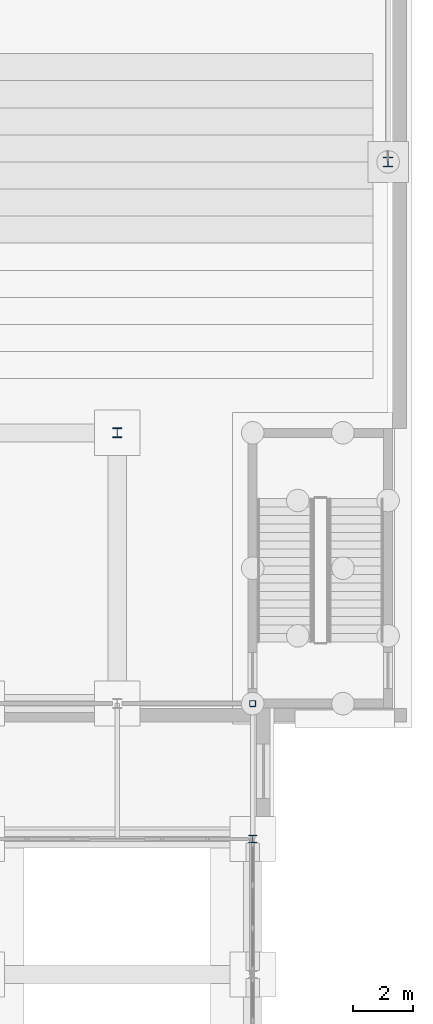
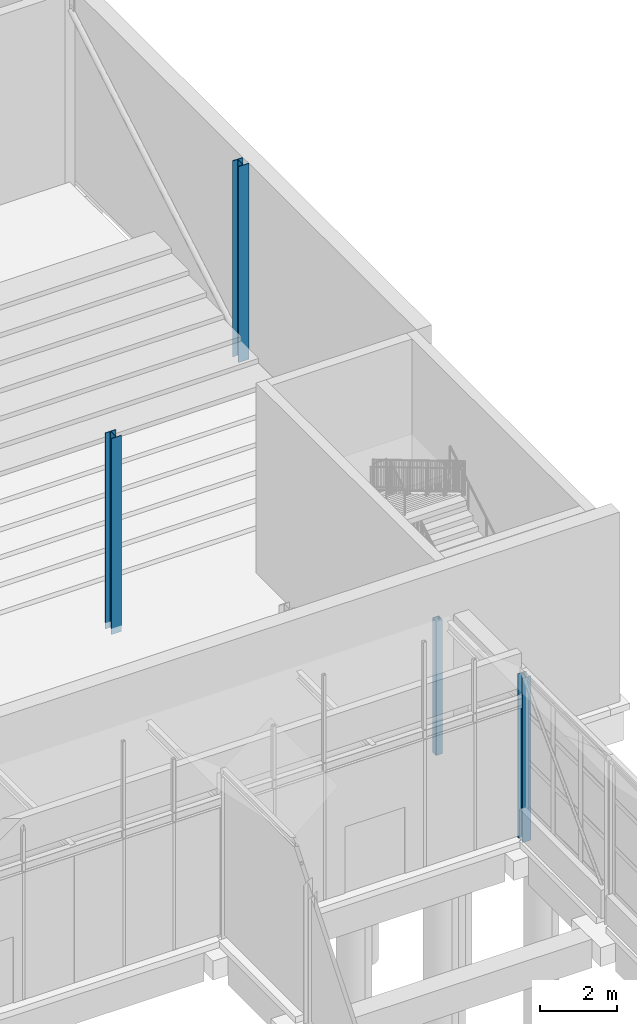
# One storey, part 22 of 106: 4 columns.
"""IFC4 building model written with IfcOpenShell, lengths in metres."""

from ifc_helpers import new_model, si_unit, direction, frame, origin, origin_2d, place, context, subcontext, project, spatial, hollow_rectangle, i_section, extrude, material, material_profile, profile_set, type_object, element, save


model = new_model("IFC4")

# Units and contexts
model_context = context("Model", 3, precision=1e-05, world=origin(), true_north=direction((0.0, 1.0)))
body_context = subcontext(model_context, "Body", "Model", "MODEL_VIEW")
ifc_project = project(units=[si_unit("LENGTHUNIT", "METRE"), si_unit("AREAUNIT", "SQUARE_METRE"), si_unit("VOLUMEUNIT", "CUBIC_METRE"), si_unit("PLANEANGLEUNIT", "RADIAN"), si_unit("MASSUNIT", "GRAM", prefix="KILO")], contexts=[model_context])

# Site, building, storey
site_placement = place(None, origin())
site = spatial("IfcSite", under=ifc_project, at=site_placement, CompositionType="ELEMENT")
building_placement = place(site_placement, origin())
building = spatial("IfcBuilding", under=site, at=building_placement, Name="Hortulan Conservatory and Botanical Research Centre", CompositionType="ELEMENT")
storey_placement = place(building_placement, origin())
storey = spatial("IfcBuildingStorey", under=building, at=storey_placement, Name="L00", CompositionType="ELEMENT", Elevation=0.0)

# Columns
ifc_material_1 = material(Name="Steel Grade 300PLUS (AS/NZS 3679.1, 280 MPa minimum yield)", Category="steel")
ifc_material_profile_1 = material_profile(ifc_material_1, i_section(OverallWidth=0.30908203125, OverallDepth=0.321044921875, WebThickness=0.013916015625, FlangeThickness=0.021728515625, FilletRadius=0.0166015625, at=origin_2d()), Name="310UC137")
ifc_profile_set_1 = profile_set([ifc_material_profile_1], Name="Steel Grade 300PLUS (AS/NZS 3679.1, 280 MPa minimum yield)")
column_type_1 = type_object("IfcColumnType", Name="Auditorium Column 310UC137", PredefinedType="COLUMN", material=ifc_profile_set_1)
for number, where, z_axis, x_axis, name in (
    (1, (108.0, 54.0, -0.199951171875), (0.0, 0.0, 1.0), (1.0, 0.0, 0.0), "310UC137 column"),
    (2, (99.0, 45.0, -0.199951171875), (0.0, 0.0, 1.0), (1.0, 0.0, 0.0), "310UC137 column"),
):
    element("IfcColumn", number, at=place(storey_placement, frame(where, z_axis=z_axis, x_axis=x_axis)), inside=storey, type_object=column_type_1, Name=name, PredefinedType="COLUMN", context=body_context, shape_type="SweptSolid", body=[
        extrude(i_section(OverallWidth=0.30908203125, OverallDepth=0.321044921875, WebThickness=0.013916015625, FlangeThickness=0.021728515625, FilletRadius=0.0166015625, at=origin_2d()), origin(), (0.0, 0.0, 1.0), 6.199951171875),
    ])
ifc_material_profile_2 = material_profile(ifc_material_1, i_section(OverallWidth=0.25390625, OverallDepth=0.25390625, WebThickness=0.008544921875, FlangeThickness=0.01416015625, FilletRadius=0.013916015625, at=origin_2d()), Name="250UC72.9")
ifc_profile_set_2 = profile_set([ifc_material_profile_2], Name="Steel Grade 300PLUS (AS/NZS 3679.1, 280 MPa minimum yield)")
column_type_2 = type_object("IfcColumnType", Name="Climate House Column 250UC72.9", PredefinedType="COLUMN", material=ifc_profile_set_2)
column_1_placement = place(storey_placement, frame((103.5, 31.5, -0.199951171875), z_axis=(0.0, 0.0, 1.0), x_axis=(1.0, 0.0, 0.0)))
element("IfcColumn", 3, at=column_1_placement, inside=storey, type_object=column_type_2, Name="Climate house column F4-8", PredefinedType="COLUMN", context=body_context, shape_type="SweptSolid", body=[
    extrude(i_section(OverallWidth=0.25390625, OverallDepth=0.25390625, WebThickness=0.008544921875, FlangeThickness=0.01416015625, FilletRadius=0.013916015625, at=origin_2d()), origin(), (0.0, 0.0, 1.0), 5.199951171875),
])
ifc_material_2 = material(Name="Steel Grade C450L0 (450 MPa, AS/NZS 1163)", Category="steel")
ifc_material_profile_3 = material_profile(ifc_material_2, hollow_rectangle(XDim=0.199951171875, YDim=0.199951171875, WallThickness=0.009033203125, InnerFilletRadius=0.013427734375, OuterFilletRadius=0.0224609375, at=origin_2d()), Name="200x200x9SHS")
ifc_profile_set_3 = profile_set([ifc_material_profile_3], Name="Steel Grade C450L0 (450 MPa, AS/NZS 1163)")
column_type_3 = type_object("IfcColumnType", Name="Gardeners Block Column 200x200x9 SHS", PredefinedType="COLUMN", material=ifc_profile_set_3)
column_2_placement = place(storey_placement, frame((103.5, 36.0, -0.199951171875), z_axis=(0.0, 0.0, 1.0), x_axis=(1.0, 0.0, 0.0)))
element("IfcColumn", 4, at=column_2_placement, inside=storey, type_object=column_type_3, Name="Gardeners block rear column 103.5", PredefinedType="COLUMN", context=body_context, shape_type="SweptSolid", body=[
    extrude(hollow_rectangle(XDim=0.199951171875, YDim=0.199951171875, WallThickness=0.009033203125, InnerFilletRadius=0.013427734375, OuterFilletRadius=0.0224609375, at=origin_2d()), origin(), (0.0, 0.0, 1.0), 4.245849609375),
])

save(model, "model.ifc")
